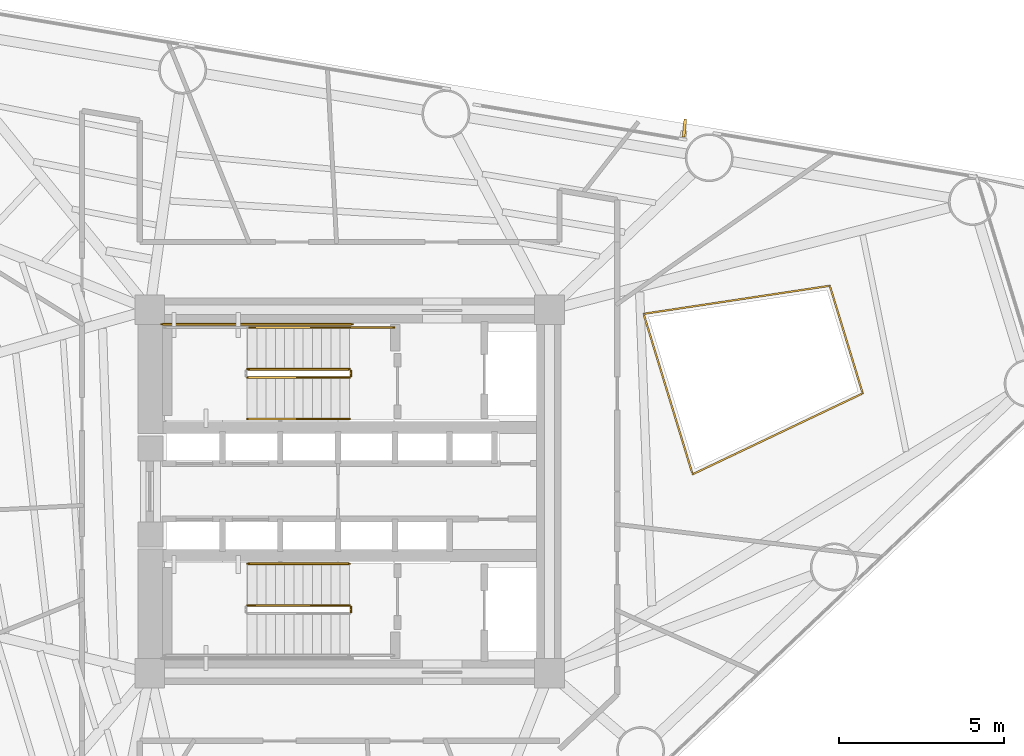
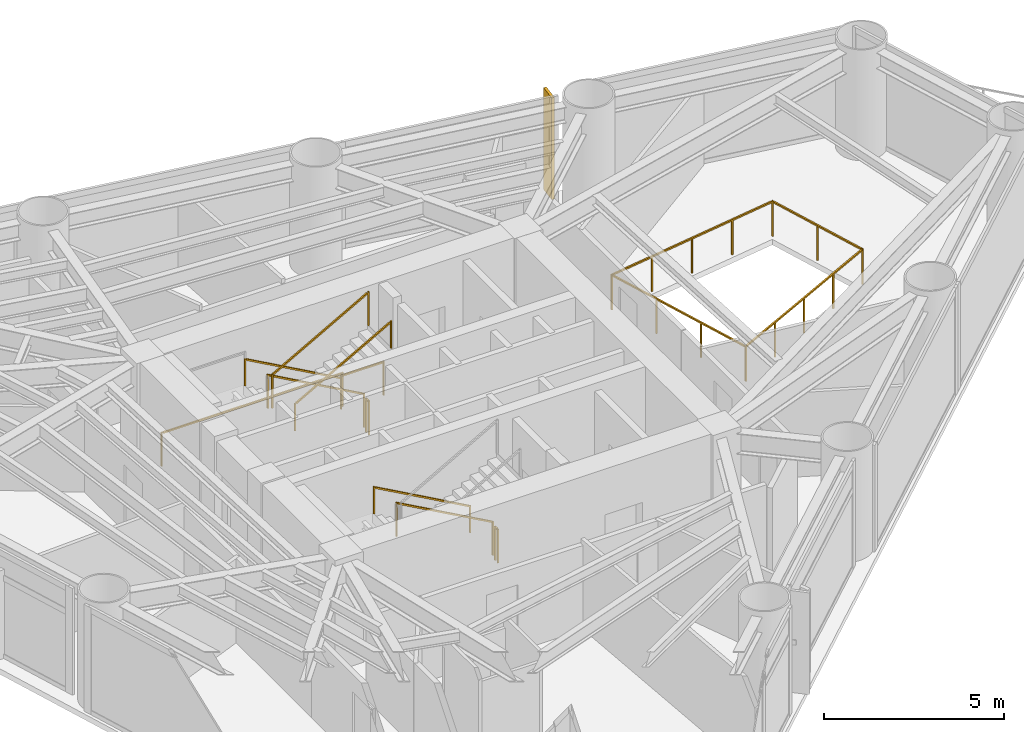
# One storey, part 9 of 10: 11 railings, 1 shading device.
"""IFC4 building model written with IfcOpenShell, lengths in metres."""

from ifc_helpers import new_model, si_unit, direction, frame, origin, origin_2d, place, context, subcontext, project, spatial, rectangle, extrude, source, transform, mapped, material, material_profile, profile_set, type_object, element, save


model = new_model("IFC4")

# Units and contexts
model_context = context("Model", 3, precision=1e-05, world=origin(), true_north=direction((0.0, 1.0)))
body_context = subcontext(model_context, "Body", "Model", "MODEL_VIEW")
ifc_project = project(units=[si_unit("LENGTHUNIT", "METRE"), si_unit("AREAUNIT", "SQUARE_METRE"), si_unit("VOLUMEUNIT", "CUBIC_METRE"), si_unit("PLANEANGLEUNIT", "RADIAN"), si_unit("MASSUNIT", "GRAM", prefix="KILO")], contexts=[model_context])

# Site, building, storey
site_placement = place(None, origin())
site = spatial("IfcSite", under=ifc_project, at=site_placement, CompositionType="ELEMENT")
building_placement = place(site_placement, origin())
building = spatial("IfcBuilding", under=site, at=building_placement, Name="Yunling Apex Tower", CompositionType="ELEMENT")
storey_placement = place(building_placement, frame((0.0, 0.0, 108.64990234375)))
storey = spatial("IfcBuildingStorey", under=building, at=storey_placement, Name="L27", CompositionType="ELEMENT", Elevation=108.64990234375)

# Railings
ifc_material_1 = material(Name="Bronze anodised aluminium", Category="aluminium")
railing_type_1 = type_object("IfcRailingType", Name="RL-BAL-1200", PredefinedType="BALUSTRADE", material=ifc_material_1)
railing_1_placement = place(storey_placement, frame((8.897216796875, 5.375244140625, 0.0)))
element("IfcRailing", 1, at=railing_1_placement, inside=storey, type_object=railing_type_1, Name="RL-TATR-L27", PredefinedType="BALUSTRADE", context=body_context, shape_type="SweptSolid", body=[
    extrude(rectangle(XDim=0.0439453125, YDim=0.0439453125, at=origin_2d()), origin(), (0.0, 0.0, 1.0), 1.199951171875),
    extrude(rectangle(XDim=0.0439453125, YDim=0.0439453125, at=origin_2d()), frame((5.637939453125, 0.849853515625, 0.0)), (0.0, 0.0, 1.0), 1.199951171875),
    extrude(rectangle(XDim=0.050048828125, YDim=0.050048828125, at=origin_2d()), frame((0.037841796875, 0.005615234375, 1.1748046875), z_axis=(0.988828994204, 0.149054420336, 0.0), x_axis=(-0.149054420336, 0.988828994204, 0.0)), (0.0, 0.0, 1.0), 5.625),
    extrude(rectangle(XDim=0.0439453125, YDim=0.0439453125, at=origin_2d()), frame((1.409423828125, 0.21240234375, 0.0)), (0.0, 0.0, 1.0), 1.14599609375),
    extrude(rectangle(XDim=0.0439453125, YDim=0.0439453125, at=origin_2d()), frame((2.81884765625, 0.4248046875, 0.0)), (0.0, 0.0, 1.0), 1.14599609375),
    extrude(rectangle(XDim=0.0439453125, YDim=0.0439453125, at=origin_2d()), frame((4.228515625, 0.637451171875, 0.0)), (0.0, 0.0, 1.0), 1.14599609375),
    extrude(rectangle(XDim=0.0439453125, YDim=0.0439453125, at=origin_2d()), frame((6.6337890625, -2.408203125, 0.0)), (0.0, 0.0, 1.0), 1.199951171875),
    extrude(rectangle(XDim=0.050048828125, YDim=0.050048828125, at=origin_2d()), frame((5.649169921875, 0.813232421875, 1.1748046875), z_axis=(0.292307744699, -0.956324308166, 0.0), x_axis=(0.956324308166, 0.292307744699, 0.0)), (0.0, 0.0, 1.0), 3.330078125),
    extrude(rectangle(XDim=0.0439453125, YDim=0.0439453125, at=origin_2d()), frame((6.1357421875, -0.779296875, 0.0)), (0.0, 0.0, 1.0), 1.14599609375),
    extrude(rectangle(XDim=0.0439453125, YDim=0.0439453125, at=origin_2d()), frame((1.484619140625, -4.856201171875, 0.0)), (0.0, 0.0, 1.0), 1.199951171875),
    extrude(rectangle(XDim=0.050048828125, YDim=0.050048828125, at=origin_2d()), frame((6.59912109375, -2.424560546875, 1.1748046875), z_axis=(-0.903131826937, -0.429363369622, 0.0), x_axis=(0.429363369622, -0.903131826937, 0.0)), (0.0, 0.0, 1.0), 5.624755859375),
    extrude(rectangle(XDim=0.0439453125, YDim=0.0439453125, at=origin_2d()), frame((5.346435546875, -3.020263671875, 0.0)), (0.0, 0.0, 1.0), 1.14599609375),
    extrude(rectangle(XDim=0.0439453125, YDim=0.0439453125, at=origin_2d()), frame((4.05908203125, -3.63232421875, 0.0)), (0.0, 0.0, 1.0), 1.14599609375),
    extrude(rectangle(XDim=0.0439453125, YDim=0.0439453125, at=origin_2d()), frame((2.77197265625, -4.244140625, 0.0)), (0.0, 0.0, 1.0), 1.14599609375),
    extrude(rectangle(XDim=0.050048828125, YDim=0.050048828125, at=origin_2d()), frame((1.473388671875, -4.819580078125, 1.1748046875), z_axis=(-0.292358998686, 0.956308640496, 0.0), x_axis=(-0.956308640496, -0.292358998686, 0.0)), (0.0, 0.0, 1.0), 5.00146484375),
    extrude(rectangle(XDim=0.0439453125, YDim=0.0439453125, at=origin_2d()), frame((0.98974609375, -3.237548828125, 0.0)), (0.0, 0.0, 1.0), 1.14599609375),
    extrude(rectangle(XDim=0.0439453125, YDim=0.0439453125, at=origin_2d()), frame((0.494873046875, -1.61865234375, 0.0)), (0.0, 0.0, 1.0), 1.14599609375),
])
ifc_material_2 = material(Name="Steel Q355B", Category="steel")
railing_type_2 = type_object("IfcRailingType", Name="RL-GRD-1150", PredefinedType="GUARDRAIL", material=ifc_material_2)
railing_2_placement = place(storey_placement, frame((-0.010009765625, 3.699951171875, 0.15625)))
element("IfcRailing", 2, at=railing_2_placement, inside=storey, type_object=railing_type_2, Name="L27 ST-1 stair guard 1", PredefinedType="GUARDRAIL", context=body_context, shape_type="SweptSolid", body=[
    extrude(rectangle(XDim=0.0439453125, YDim=0.0439453125, at=origin_2d()), origin(), (0.0, 0.0, 1.0), 1.14990234375),
    extrude(rectangle(XDim=0.0439453125, YDim=0.0439453125, at=origin_2d()), frame((-3.080078125, 0.0, 1.71875)), (0.0, 0.0, 1.0), 1.14990234375),
    extrude(rectangle(XDim=0.050048828125, YDim=0.050048828125, at=origin_2d()), frame((-0.033447265625, 0.0, 1.1435546875), z_axis=(-0.873241540666, 0.0, 0.487287606713), x_axis=(0.0, -1.0, 0.0)), (0.0, 0.0, 1.0), 3.450439453125),
])
railing_3_placement = place(storey_placement, frame((-3.090087890625, 3.449951171875, 2.03125)))
element("IfcRailing", 3, at=railing_3_placement, inside=storey, type_object=railing_type_2, Name="L27 ST-1 stair guard 4", PredefinedType="GUARDRAIL", context=body_context, shape_type="SweptSolid", body=[
    extrude(rectangle(XDim=0.0439453125, YDim=0.0439453125, at=origin_2d()), origin(), (0.0, 0.0, 1.0), 1.14990234375),
    extrude(rectangle(XDim=0.0439453125, YDim=0.0439453125, at=origin_2d()), frame((3.080078125, 0.0, 1.71875)), (0.0, 0.0, 1.0), 1.14990234375),
    extrude(rectangle(XDim=0.050048828125, YDim=0.050048828125, at=origin_2d()), frame((0.033447265625, 0.0, 1.1435546875), z_axis=(0.873241540666, 0.0, 0.487287606713), x_axis=(0.0, 1.0, 0.0)), (0.0, 0.0, 1.0), 3.450439453125),
])
railing_4_placement = place(storey_placement, frame((0.0400390625, 3.64990234375, 0.0)))
element("IfcRailing", 4, at=railing_4_placement, inside=storey, type_object=railing_type_2, Name="L27 ST-1 stair guard 5", PredefinedType="GUARDRAIL", context=body_context, shape_type="SweptSolid", body=[
    extrude(rectangle(XDim=0.0439453125, YDim=0.0439453125, at=origin_2d()), origin(), (0.0, 0.0, 1.0), 1.14990234375),
    extrude(rectangle(XDim=0.0439453125, YDim=0.0439453125, at=origin_2d()), frame((0.0, -0.14990234375, 0.0)), (0.0, 0.0, 1.0), 1.14990234375),
    extrude(rectangle(XDim=0.050048828125, YDim=0.050048828125, at=origin_2d()), frame((0.0, -0.038330078125, 1.125), z_axis=(0.0, -1.0, 0.0), x_axis=(1.0, 0.0, 0.0)), (0.0, 0.0, 1.0), 0.0732421875),
])
railing_5_placement = place(storey_placement, frame((1.35009765625, 4.9599609375, 0.0)))
element("IfcRailing", 5, at=railing_5_placement, inside=storey, type_object=railing_type_2, Name="L27 ST-1 stair guard 6", PredefinedType="GUARDRAIL", context=body_context, shape_type="SweptSolid", body=[
    extrude(rectangle(XDim=0.0439453125, YDim=0.0439453125, at=origin_2d()), origin(), (0.0, 0.0, 1.0), 1.14990234375),
    extrude(rectangle(XDim=0.0439453125, YDim=0.0439453125, at=origin_2d()), frame((-1.360107421875, 0.0, 0.0)), (0.0, 0.0, 1.0), 1.14990234375),
    extrude(rectangle(XDim=0.050048828125, YDim=0.050048828125, at=origin_2d()), frame((-0.038330078125, 0.0, 1.125), z_axis=(-1.0, 0.0, 0.0), x_axis=(0.0, -1.0, 0.0)), (0.0, 0.0, 1.0), 1.283447265625),
])
railing_6_placement = place(storey_placement, frame((0.090087890625, 5.06005859375, 0.0)))
element("IfcRailing", 6, at=railing_6_placement, inside=storey, type_object=railing_type_2, Name="L27 ST-1 stair guard 7", PredefinedType="GUARDRAIL", context=body_context, shape_type="SweptSolid", body=[
    extrude(rectangle(XDim=0.0439453125, YDim=0.0439453125, at=origin_2d()), origin(), (0.0, 0.0, 1.0), 1.14990234375),
    extrude(rectangle(XDim=0.0439453125, YDim=0.0439453125, at=origin_2d()), frame((-5.7900390625, 0.0, 0.0)), (0.0, 0.0, 1.0), 1.14990234375),
    extrude(rectangle(XDim=0.050048828125, YDim=0.050048828125, at=origin_2d()), frame((-0.038330078125, 0.0, 1.125), z_axis=(-1.0, 0.0, 0.0), x_axis=(0.0, -1.0, 0.0)), (0.0, 0.0, 1.0), 5.71337890625),
])
railing_7_placement = place(storey_placement, frame((-0.010009765625, -3.449951171875, 0.15625)))
element("IfcRailing", 7, at=railing_7_placement, inside=storey, type_object=railing_type_2, Name="L27 ST-2 stair guard 1", PredefinedType="GUARDRAIL", context=body_context, shape_type="SweptSolid", body=[
    extrude(rectangle(XDim=0.0439453125, YDim=0.0439453125, at=origin_2d()), origin(), (0.0, 0.0, 1.0), 1.14990234375),
    extrude(rectangle(XDim=0.0439453125, YDim=0.0439453125, at=origin_2d()), frame((-3.080078125, 0.0, 1.71875)), (0.0, 0.0, 1.0), 1.14990234375),
    extrude(rectangle(XDim=0.050048828125, YDim=0.050048828125, at=origin_2d()), frame((-0.033447265625, 0.0, 1.1435546875), z_axis=(-0.873241540666, 0.0, 0.487287606713), x_axis=(0.0, -1.0, 0.0)), (0.0, 0.0, 1.0), 3.450439453125),
])
railing_8_placement = place(storey_placement, frame((0.0400390625, -3.5, 0.0)))
element("IfcRailing", 8, at=railing_8_placement, inside=storey, type_object=railing_type_2, Name="L27 ST-2 stair guard 5", PredefinedType="GUARDRAIL", context=body_context, shape_type="SweptSolid", body=[
    extrude(rectangle(XDim=0.0439453125, YDim=0.0439453125, at=origin_2d()), origin(), (0.0, 0.0, 1.0), 1.14990234375),
    extrude(rectangle(XDim=0.0439453125, YDim=0.0439453125, at=origin_2d()), frame((0.0, -0.14990234375, 0.0)), (0.0, 0.0, 1.0), 1.14990234375),
    extrude(rectangle(XDim=0.050048828125, YDim=0.050048828125, at=origin_2d()), frame((0.0, -0.038330078125, 1.125), z_axis=(0.0, -1.0, 0.0), x_axis=(1.0, 0.0, 0.0)), (0.0, 0.0, 1.0), 0.0732421875),
])
ifc_material_3 = material(Name="Silver anodised aluminium", Category="aluminium")
railing_type_3 = type_object("IfcRailingType", Name="RL-HND-900", PredefinedType="HANDRAIL", material=ifc_material_3)
railing_9_placement = place(storey_placement, frame((-0.010009765625, 4.9599609375, 0.15625)))
element("IfcRailing", 9, at=railing_9_placement, inside=storey, type_object=railing_type_3, Name="L27 ST-1 stair handrail 1", PredefinedType="HANDRAIL", context=body_context, shape_type="SweptSolid", body=[
    extrude(rectangle(XDim=0.0439453125, YDim=0.0439453125, at=origin_2d()), origin(), (0.0, 0.0, 1.0), 0.919921875),
    extrude(rectangle(XDim=0.0439453125, YDim=0.0439453125, at=origin_2d()), frame((-3.080078125, 0.0, 1.71875)), (0.0, 0.0, 1.0), 0.919921875),
    extrude(rectangle(XDim=0.050048828125, YDim=0.050048828125, at=origin_2d()), frame((-0.033447265625, 0.0, 0.91357421875), z_axis=(-0.873241540666, 0.0, 0.487287606713), x_axis=(0.0, -1.0, 0.0)), (0.0, 0.0, 1.0), 3.450439453125),
])
railing_10_placement = place(storey_placement, frame((-3.090087890625, 2.18994140625, 2.03125)))
element("IfcRailing", 10, at=railing_10_placement, inside=storey, type_object=railing_type_3, Name="L27 ST-1 stair handrail 2", PredefinedType="HANDRAIL", context=body_context, shape_type="SweptSolid", body=[
    extrude(rectangle(XDim=0.0439453125, YDim=0.0439453125, at=origin_2d()), origin(), (0.0, 0.0, 1.0), 0.919921875),
    extrude(rectangle(XDim=0.0439453125, YDim=0.0439453125, at=origin_2d()), frame((3.080078125, 0.0, 1.71875)), (0.0, 0.0, 1.0), 0.919921875),
    extrude(rectangle(XDim=0.050048828125, YDim=0.050048828125, at=origin_2d()), frame((0.033447265625, 0.0, 0.91357421875), z_axis=(0.873241540666, 0.0, 0.487287606713), x_axis=(0.0, 1.0, 0.0)), (0.0, 0.0, 1.0), 3.450439453125),
])
railing_11_placement = place(storey_placement, frame((-0.010009765625, -2.18994140625, 0.15625)))
element("IfcRailing", 11, at=railing_11_placement, inside=storey, type_object=railing_type_3, Name="L27 ST-2 stair handrail 1", PredefinedType="HANDRAIL", context=body_context, shape_type="SweptSolid", body=[
    extrude(rectangle(XDim=0.0439453125, YDim=0.0439453125, at=origin_2d()), origin(), (0.0, 0.0, 1.0), 0.919921875),
    extrude(rectangle(XDim=0.0439453125, YDim=0.0439453125, at=origin_2d()), frame((-3.080078125, 0.0, 1.71875)), (0.0, 0.0, 1.0), 0.919921875),
    extrude(rectangle(XDim=0.050048828125, YDim=0.050048828125, at=origin_2d()), frame((-0.033447265625, 0.0, 0.91357421875), z_axis=(-0.873241540666, 0.0, 0.487287606713), x_axis=(0.0, -1.0, 0.0)), (0.0, 0.0, 1.0), 3.450439453125),
])

# Shading device
ifc_material_profile = material_profile(ifc_material_1, rectangle(XDim=0.0849609375, YDim=0.550048828125, at=origin_2d()))
ifc_profile_set = profile_set([ifc_material_profile], Name="Bronze anodised aluminium")
shading_device_type = type_object("IfcShadingDeviceType", Name="FN-BRZ-3", PredefinedType="USERDEFINED", material=ifc_profile_set)
shared_shape = source(origin(), body_context, "Body", "SweptSolid", [
    extrude(rectangle(XDim=0.0849609375, YDim=0.550048828125, at=origin_2d()), origin(), (0.0, 0.0, 1.0), 3.445068359375),
])
shading_device_placement = place(storey_placement, frame((10.135498046875, 11.00146484375, 0.06005859375), z_axis=(0.0, 0.0, 1.0), x_axis=(-0.995038220239, 0.099493418189, 0.0)))
element("IfcShadingDevice", 12, at=shading_device_placement, inside=storey, type_object=shading_device_type, Name="CW-L27-F2-B2-FIN-01", ObjectType="FIN", PredefinedType="USERDEFINED", context=body_context, shape_type="MappedRepresentation", body=[
    mapped(shared_shape, transform((0.0, 0.0, 0.0), scale=1.0)),
])

save(model, "model.ifc")
